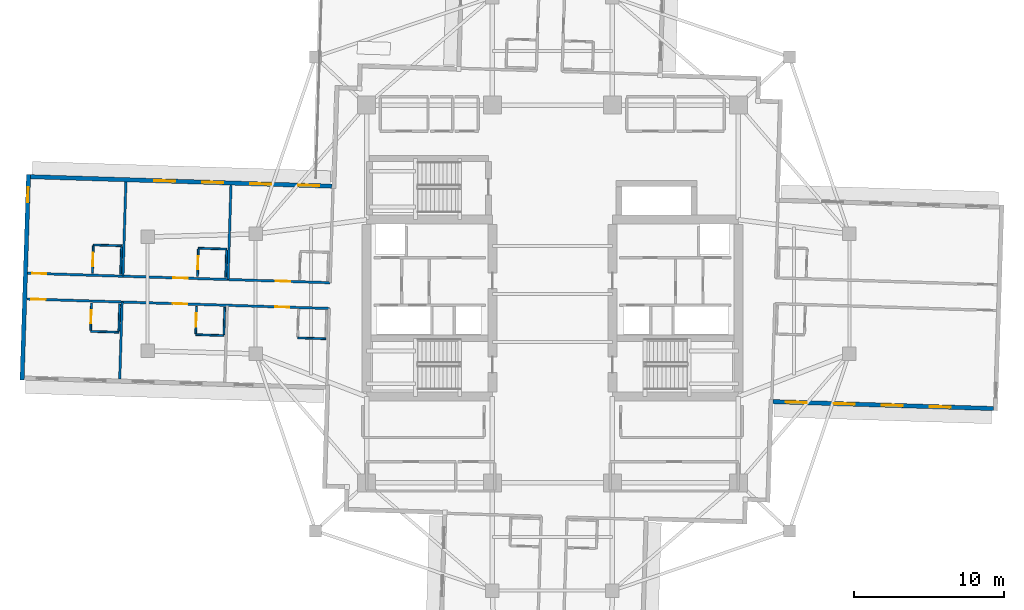
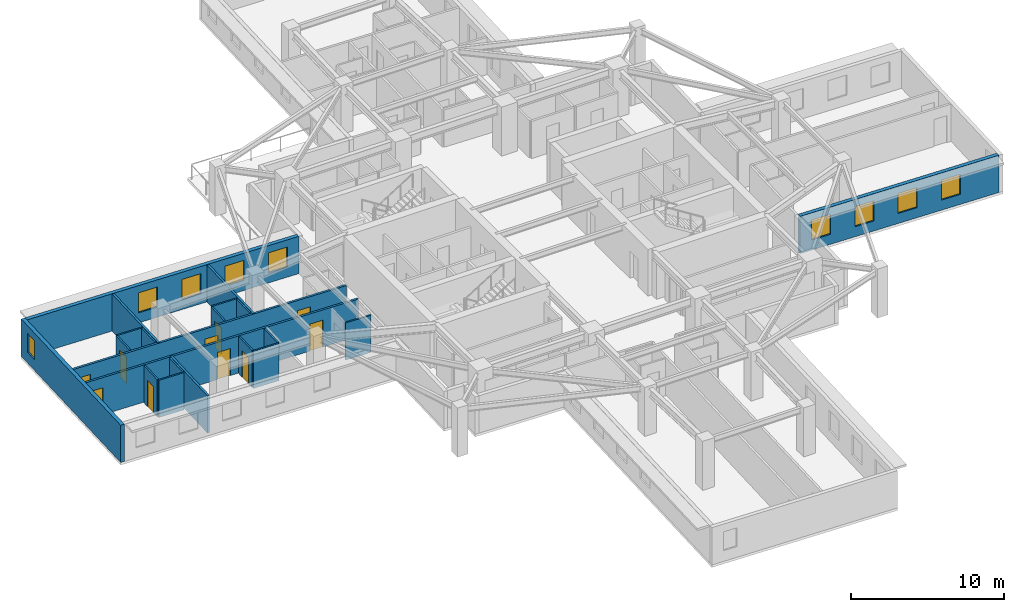
# One storey, part 4 of 13: 21 walls, 10 doors, 9 windows, 19 openings.
"""IFC4 building model written with IfcOpenShell, lengths in metres."""

from ifc_helpers import new_model, si_unit, direction, frame, frame_2d, origin, place, context, subcontext, project, spatial, rectangle, extrude, material, layer, layer_set, type_object, element, fill, save


model = new_model("IFC4")

# Units and contexts
model_context = context("Model", 3, precision=1e-05, world=origin(), true_north=direction((0.0, 1.0)))
body_context = subcontext(model_context, "Body", "Model", "MODEL_VIEW")
ifc_project = project(units=[si_unit("LENGTHUNIT", "METRE"), si_unit("AREAUNIT", "SQUARE_METRE"), si_unit("VOLUMEUNIT", "CUBIC_METRE"), si_unit("PLANEANGLEUNIT", "RADIAN"), si_unit("MASSUNIT", "GRAM", prefix="KILO")], contexts=[model_context])

# Site, building, storey
site_placement = place(None, origin())
site = spatial("IfcSite", under=ifc_project, at=site_placement, CompositionType="ELEMENT")
building_placement = place(site_placement, origin())
building = spatial("IfcBuilding", under=site, at=building_placement, Name="Qingluan Cross Belvedere", CompositionType="ELEMENT")
storey_placement = place(building_placement, frame((0.0, 0.0, 152.699951171875)))
storey = spatial("IfcBuildingStorey", under=building, at=storey_placement, Name="L38", CompositionType="ELEMENT", Elevation=152.699951171875)

# Wall, openings, doors
ifc_material_1 = material(Name="Gypsum plasterboard on steel stud acoustic partition", Category="steel")
ifc_layer_1 = layer(ifc_material_1, 0.159912109375, Name="CorridorPartition_160")
ifc_layer_set_1 = layer_set([ifc_layer_1], Name="Gypsum plasterboard on steel stud acoustic partition")
wall_type_1 = type_object("IfcWallType", Name="CorridorPartition_160", PredefinedType="PARTITIONING", material=ifc_layer_set_1)
wall_1_placement = place(storey_placement, frame((-14.833984375, 0.746337890625, 0.0), z_axis=(0.0, 0.0, 1.0), x_axis=(-0.99950639469, 0.031416030536, 0.0)))
wall_1 = element("IfcWall", 1, at=wall_1_placement, inside=storey, type_object=wall_type_1, Name="Partition L38:W:c0", PredefinedType="PARTITIONING", context=body_context, shape_type="SweptSolid", body=[
    extrude(rectangle(XDim=20.181884765625, YDim=0.159912109375, at=frame_2d((10.0908203125, 0.0))), origin(), (0.0, 0.0, 1.0), 2.9599609375),
])
opening_1_placement = place(wall_1_placement, frame((2.660888671875, 0.0, 0.0)))
opening_1 = element("IfcOpeningElement", 2, at=opening_1_placement, cuts=wall_1, Name="Opening GD-10", PredefinedType="OPENING", context=body_context, shape_type="SweptSolid", body=[
    extrude(rectangle(XDim=0.9599609375, YDim=2.14990234375, at=frame_2d((0.47998046875, 1.074951171875))), frame((0.0, 0.08984375, 0.0), z_axis=(0.0, -1.0, 0.0), x_axis=(1.0, 0.0, 0.0)), (0.0, 0.0, 1.0), 0.179931640625),
])
opening_2_placement = place(wall_1_placement, frame((9.491943359375, 0.0, 0.0)))
opening_2 = element("IfcOpeningElement", 3, at=opening_2_placement, cuts=wall_1, Name="Opening GD-10", PredefinedType="OPENING", context=body_context, shape_type="SweptSolid", body=[
    extrude(rectangle(XDim=0.9599609375, YDim=2.14990234375, at=frame_2d((0.47998046875, 1.074951171875))), frame((0.0, 0.08984375, 0.0), z_axis=(0.0, -1.0, 0.0), x_axis=(1.0, 0.0, 0.0)), (0.0, 0.0, 1.0), 0.179931640625),
])
opening_3_placement = place(wall_1_placement, frame((18.929931640625, 0.0, 0.0)))
opening_3 = element("IfcOpeningElement", 4, at=opening_3_placement, cuts=wall_1, Name="Opening GD-10", PredefinedType="OPENING", context=body_context, shape_type="SweptSolid", body=[
    extrude(rectangle(XDim=0.9599609375, YDim=2.14990234375, at=frame_2d((0.47998046875, 1.074951171875))), frame((0.0, 0.08984375, 0.0), z_axis=(0.0, -1.0, 0.0), x_axis=(1.0, 0.0, 0.0)), (0.0, 0.0, 1.0), 0.179931640625),
])
ifc_material_2 = material(Name="Timber oak fire-rated acoustic guestroom door", Category="wood")
door_type_1 = type_object("IfcDoorType", Name="GuestEntryDoor_FD60", OperationType="NOTDEFINED", PredefinedType="DOOR", material=ifc_material_2)
door_1_placement = place(opening_1_placement, origin())
door_1 = element("IfcDoor", 5, at=door_1_placement, inside=storey, type_object=door_type_1, Name="Guest entry fire door 3803", OperationType="SINGLE_SWING_RIGHT", OverallHeight=2.14990234375, OverallWidth=0.9599609375, PredefinedType="DOOR", context=body_context, shape_type="SweptSolid", body=[
    extrude(rectangle(XDim=0.9599609375, YDim=2.14990234375, at=frame_2d((0.47998046875, 1.074951171875))), frame((0.0, 0.02490234375, 0.0), z_axis=(0.0, -1.0, 0.0), x_axis=(1.0, 0.0, 0.0)), (0.0, 0.0, 1.0), 0.050048828125),
])
fill(opening_1, door_1)
door_2_placement = place(opening_2_placement, origin())
door_2 = element("IfcDoor", 6, at=door_2_placement, inside=storey, type_object=door_type_1, Name="Guest entry fire door 3804", OperationType="SINGLE_SWING_RIGHT", OverallHeight=2.14990234375, OverallWidth=0.9599609375, PredefinedType="DOOR", context=body_context, shape_type="SweptSolid", body=[
    extrude(rectangle(XDim=0.9599609375, YDim=2.14990234375, at=frame_2d((0.47998046875, 1.074951171875))), frame((0.0, 0.02490234375, 0.0), z_axis=(0.0, -1.0, 0.0), x_axis=(1.0, 0.0, 0.0)), (0.0, 0.0, 1.0), 0.050048828125),
])
fill(opening_2, door_2)
door_3_placement = place(opening_3_placement, origin())
door_3 = element("IfcDoor", 7, at=door_3_placement, inside=storey, type_object=door_type_1, Name="Guest entry fire door 3805", OperationType="SINGLE_SWING_RIGHT", OverallHeight=2.14990234375, OverallWidth=0.9599609375, PredefinedType="DOOR", context=body_context, shape_type="SweptSolid", body=[
    extrude(rectangle(XDim=0.9599609375, YDim=2.14990234375, at=frame_2d((0.47998046875, 1.074951171875))), frame((0.0, 0.02490234375, 0.0), z_axis=(0.0, -1.0, 0.0), x_axis=(1.0, 0.0, 0.0)), (0.0, 0.0, 1.0), 0.050048828125),
])
fill(opening_3, door_3)

# Walls
wall_2_placement = place(storey_placement, frame((-21.6416015625, 0.960205078125, 0.0), z_axis=(0.0, 0.0, 1.0), x_axis=(0.031429784908, 0.999505962274, 0.0)))
element("IfcWall", 8, at=wall_2_placement, inside=storey, type_object=wall_type_1, Name="Partition L38:W:d0_0", PredefinedType="PARTITIONING", context=body_context, shape_type="SweptSolid", body=[
    extrude(rectangle(XDim=6.2919921875, YDim=0.159912109375, at=frame_2d((3.14599609375, 0.0))), origin(), (0.0, 0.0, 1.0), 2.9599609375),
])
wall_3_placement = place(storey_placement, frame((-28.651123046875, 1.180419921875, 0.0), z_axis=(0.0, 0.0, 1.0), x_axis=(0.031389803569, 0.999507218699, 0.0)))
element("IfcWall", 9, at=wall_3_placement, inside=storey, type_object=wall_type_1, Name="Partition L38:W:d0_1", PredefinedType="PARTITIONING", context=body_context, shape_type="SweptSolid", body=[
    extrude(rectangle(XDim=6.292236328125, YDim=0.159912109375, at=frame_2d((3.14599609375, 0.0))), origin(), (0.0, 0.0, 1.0), 2.9599609375),
])

# Wall, openings, doors
wall_4_placement = place(storey_placement, frame((-14.887939453125, -0.972900390625, 0.0), z_axis=(0.0, 0.0, 1.0), x_axis=(-0.99950639469, 0.031416030536, 0.0)))
wall_4 = element("IfcWall", 10, at=wall_4_placement, inside=storey, type_object=wall_type_1, Name="Partition L38:W:c1", PredefinedType="PARTITIONING", context=body_context, shape_type="SweptSolid", body=[
    extrude(rectangle(XDim=20.181884765625, YDim=0.159912109375, at=frame_2d((10.0908203125, 0.0))), origin(), (0.0, 0.0, 1.0), 2.9599609375),
])
opening_4_placement = place(wall_4_placement, frame((2.660888671875, 0.0, 0.0)))
opening_4 = element("IfcOpeningElement", 11, at=opening_4_placement, cuts=wall_4, Name="Opening GD-10", PredefinedType="OPENING", context=body_context, shape_type="SweptSolid", body=[
    extrude(rectangle(XDim=0.9599609375, YDim=2.14990234375, at=frame_2d((0.47998046875, 1.074951171875))), frame((0.0, 0.08984375, 0.0), z_axis=(0.0, -1.0, 0.0), x_axis=(1.0, 0.0, 0.0)), (0.0, 0.0, 1.0), 0.179931640625),
])
opening_5_placement = place(wall_4_placement, frame((9.491943359375, 0.0, 0.0)))
opening_5 = element("IfcOpeningElement", 12, at=opening_5_placement, cuts=wall_4, Name="Opening GD-10", PredefinedType="OPENING", context=body_context, shape_type="SweptSolid", body=[
    extrude(rectangle(XDim=0.9599609375, YDim=2.14990234375, at=frame_2d((0.47998046875, 1.074951171875))), frame((0.0, 0.08984375, 0.0), z_axis=(0.0, -1.0, 0.0), x_axis=(1.0, 0.0, 0.0)), (0.0, 0.0, 1.0), 0.179931640625),
])
opening_6_placement = place(wall_4_placement, frame((18.929931640625, 0.0, 0.0)))
opening_6 = element("IfcOpeningElement", 13, at=opening_6_placement, cuts=wall_4, Name="Opening GD-10", PredefinedType="OPENING", context=body_context, shape_type="SweptSolid", body=[
    extrude(rectangle(XDim=0.9599609375, YDim=2.14990234375, at=frame_2d((0.47998046875, 1.074951171875))), frame((0.0, 0.08984375, 0.0), z_axis=(0.0, -1.0, 0.0), x_axis=(1.0, 0.0, 0.0)), (0.0, 0.0, 1.0), 0.179931640625),
])
door_4_placement = place(opening_4_placement, origin())
door_4 = element("IfcDoor", 14, at=door_4_placement, inside=storey, type_object=door_type_1, Name="Guest entry fire door 3806", OperationType="SINGLE_SWING_RIGHT", OverallHeight=2.14990234375, OverallWidth=0.9599609375, PredefinedType="DOOR", context=body_context, shape_type="SweptSolid", body=[
    extrude(rectangle(XDim=0.9599609375, YDim=2.14990234375, at=frame_2d((0.47998046875, 1.074951171875))), frame((0.0, 0.02490234375, 0.0), z_axis=(0.0, -1.0, 0.0), x_axis=(1.0, 0.0, 0.0)), (0.0, 0.0, 1.0), 0.050048828125),
])
fill(opening_4, door_4)
door_5_placement = place(opening_5_placement, origin())
door_5 = element("IfcDoor", 15, at=door_5_placement, inside=storey, type_object=door_type_1, Name="Guest entry fire door 3807", OperationType="SINGLE_SWING_RIGHT", OverallHeight=2.14990234375, OverallWidth=0.9599609375, PredefinedType="DOOR", context=body_context, shape_type="SweptSolid", body=[
    extrude(rectangle(XDim=0.9599609375, YDim=2.14990234375, at=frame_2d((0.47998046875, 1.074951171875))), frame((0.0, 0.02490234375, 0.0), z_axis=(0.0, -1.0, 0.0), x_axis=(1.0, 0.0, 0.0)), (0.0, 0.0, 1.0), 0.050048828125),
])
fill(opening_5, door_5)
door_6_placement = place(opening_6_placement, origin())
door_6 = element("IfcDoor", 16, at=door_6_placement, inside=storey, type_object=door_type_1, Name="Guest entry fire door 3808", OperationType="SINGLE_SWING_RIGHT", OverallHeight=2.14990234375, OverallWidth=0.9599609375, PredefinedType="DOOR", context=body_context, shape_type="SweptSolid", body=[
    extrude(rectangle(XDim=0.9599609375, YDim=2.14990234375, at=frame_2d((0.47998046875, 1.074951171875))), frame((0.0, 0.02490234375, 0.0), z_axis=(0.0, -1.0, 0.0), x_axis=(1.0, 0.0, 0.0)), (0.0, 0.0, 1.0), 0.050048828125),
])
fill(opening_6, door_6)

# Wall
wall_5_placement = place(storey_placement, frame((-28.705078125, -0.53857421875, 0.0), z_axis=(0.0, 0.0, 1.0), x_axis=(-0.031396631422, -0.999507004245, 0.0)))
element("IfcWall", 17, at=wall_5_placement, inside=storey, type_object=wall_type_1, Name="Partition L38:W:d1_1", PredefinedType="PARTITIONING", context=body_context, shape_type="SweptSolid", body=[
    extrude(rectangle(XDim=5.132080078125, YDim=0.159912109375, at=frame_2d((2.56591796875, 0.0))), origin(), (0.0, 0.0, 1.0), 2.9599609375),
])

# Wall, opening, door
ifc_material_3 = material(Name="Moisture-resistant gypsum board lining")
ifc_layer_2 = layer(ifc_material_3, 0.1201171875, Name="EnsuiteWetPartition_120")
ifc_layer_set_2 = layer_set([ifc_layer_2], Name="Moisture-resistant gypsum board lining")
wall_type_2 = type_object("IfcWallType", Name="EnsuiteWetPartition_120", PredefinedType="PARTITIONING", material=ifc_layer_set_2)
wall_6_placement = place(storey_placement, frame((-23.676025390625, 1.164306640625, 0.0), z_axis=(0.0, 0.0, 1.0), x_axis=(0.031389704724, 0.999507221803, 0.0)))
wall_6 = element("IfcWall", 18, at=wall_6_placement, inside=storey, type_object=wall_type_2, Name="Partition L38:W:bs0_1", PredefinedType="PARTITIONING", context=body_context, shape_type="SweptSolid", body=[
    extrude(rectangle(XDim=1.820068359375, YDim=0.1201171875, at=frame_2d((0.91015625, 0.0))), origin(), (0.0, 0.0, 1.0), 2.9599609375),
])
opening_7_placement = place(wall_6_placement, frame((0.469970703125, 0.0, 0.0)))
opening_7 = element("IfcOpeningElement", 19, at=opening_7_placement, cuts=wall_6, Name="Opening BD-09", PredefinedType="OPENING", context=body_context, shape_type="SweptSolid", body=[
    extrude(rectangle(XDim=0.8798828125, YDim=2.10009765625, at=frame_2d((0.43994140625, 1.050048828125))), frame((0.0, 0.070068359375, 0.0), z_axis=(0.0, -1.0, 0.0), x_axis=(1.0, 0.0, 0.0)), (0.0, 0.0, 1.0), 0.14013671875),
])
ifc_material_4 = material(Name="Moisture-sealed timber en-suite door", Category="wood")
door_type_2 = type_object("IfcDoorType", Name="BathroomDoor_880", OperationType="NOTDEFINED", PredefinedType="DOOR", material=ifc_material_4)
door_7_placement = place(opening_7_placement, origin())
door_7 = element("IfcDoor", 20, at=door_7_placement, inside=storey, type_object=door_type_2, Name="Bathroom door 3804", OperationType="SINGLE_SWING_LEFT", OverallHeight=2.10009765625, OverallWidth=0.8798828125, PredefinedType="DOOR", context=body_context, shape_type="SweptSolid", body=[
    extrude(rectangle(XDim=0.8798828125, YDim=2.10009765625, at=frame_2d((0.43994140625, 1.050048828125))), frame((0.0, 0.02490234375, 0.0), z_axis=(0.0, -1.0, 0.0), x_axis=(1.0, 0.0, 0.0)), (0.0, 0.0, 1.0), 0.050048828125),
])
fill(opening_7, door_7)

# Walls
wall_7_placement = place(storey_placement, frame((-21.797119140625, 1.105224609375, 0.0), z_axis=(0.0, 0.0, 1.0), x_axis=(0.031389704724, 0.999507221803, 0.0)))
element("IfcWall", 21, at=wall_7_placement, inside=storey, type_object=wall_type_2, Name="Partition L38:W:bw0_1", PredefinedType="PARTITIONING", context=body_context, shape_type="SweptSolid", body=[
    extrude(rectangle(XDim=1.820068359375, YDim=0.1201171875, at=frame_2d((0.91015625, 0.0))), origin(), (0.0, 0.0, 1.0), 2.9599609375),
])
wall_8_placement = place(storey_placement, frame((-21.73779296875, 2.9892578125, 0.0), z_axis=(0.0, 0.0, 1.0), x_axis=(-0.999506103526, 0.031425292588, 0.0)))
element("IfcWall", 22, at=wall_8_placement, inside=storey, type_object=wall_type_2, Name="Partition L38:W:bn0_1", PredefinedType="PARTITIONING", context=body_context, shape_type="SweptSolid", body=[
    extrude(rectangle(XDim=1.880126953125, YDim=0.1201171875, at=frame_2d((0.93994140625, 0.0))), origin(), (0.0, 0.0, 1.0), 2.9599609375),
])

# Wall, opening, door
wall_9_placement = place(storey_placement, frame((-30.685791015625, 1.384521484375, 0.0), z_axis=(0.0, 0.0, 1.0), x_axis=(0.03152371574, 0.999503004171, 0.0)))
wall_9 = element("IfcWall", 23, at=wall_9_placement, inside=storey, type_object=wall_type_2, Name="Partition L38:W:bs0_2", PredefinedType="PARTITIONING", context=body_context, shape_type="SweptSolid", body=[
    extrude(rectangle(XDim=1.820068359375, YDim=0.1201171875, at=frame_2d((0.91015625, 0.0))), origin(), (0.0, 0.0, 1.0), 2.9599609375),
])
opening_8_placement = place(wall_9_placement, frame((0.469970703125, 0.0, 0.0)))
opening_8 = element("IfcOpeningElement", 24, at=opening_8_placement, cuts=wall_9, Name="Opening BD-09", PredefinedType="OPENING", context=body_context, shape_type="SweptSolid", body=[
    extrude(rectangle(XDim=0.8798828125, YDim=2.10009765625, at=frame_2d((0.43994140625, 1.050048828125))), frame((0.0, 0.070068359375, 0.0), z_axis=(0.0, -1.0, 0.0), x_axis=(1.0, 0.0, 0.0)), (0.0, 0.0, 1.0), 0.14013671875),
])
door_8_placement = place(opening_8_placement, origin())
door_8 = element("IfcDoor", 25, at=door_8_placement, inside=storey, type_object=door_type_2, Name="Bathroom door 3805", OperationType="SINGLE_SWING_LEFT", OverallHeight=2.10009765625, OverallWidth=0.8798828125, PredefinedType="DOOR", context=body_context, shape_type="SweptSolid", body=[
    extrude(rectangle(XDim=0.8798828125, YDim=2.10009765625, at=frame_2d((0.43994140625, 1.050048828125))), frame((0.0, 0.02490234375, 0.0), z_axis=(0.0, -1.0, 0.0), x_axis=(1.0, 0.0, 0.0)), (0.0, 0.0, 1.0), 0.050048828125),
])
fill(opening_8, door_8)

# Walls
wall_10_placement = place(storey_placement, frame((-28.806640625, 1.325439453125, 0.0), z_axis=(0.0, 0.0, 1.0), x_axis=(0.031389704724, 0.999507221803, 0.0)))
element("IfcWall", 26, at=wall_10_placement, inside=storey, type_object=wall_type_2, Name="Partition L38:W:bw0_2", PredefinedType="PARTITIONING", context=body_context, shape_type="SweptSolid", body=[
    extrude(rectangle(XDim=1.820068359375, YDim=0.1201171875, at=frame_2d((0.91015625, 0.0))), origin(), (0.0, 0.0, 1.0), 2.9599609375),
])
for number, where, z_axis, x_axis, name in (
    (27, (-28.747314453125, 3.209716796875, 0.0), (0.0, 0.0, 1.0), (-0.999510173889, 0.031295563454, 0.0), "Partition L38:W:bn0_2"),
    (28, (-15.111328125, -2.99169921875, 0.0), (0.0, 0.0, 1.0), (-0.999510173889, 0.031295563454, 0.0), "Partition L38:W:bc1_0"),
):
    element("IfcWall", number, at=place(storey_placement, frame(where, z_axis=z_axis, x_axis=x_axis)), inside=storey, type_object=wall_type_2, Name=name, PredefinedType="PARTITIONING", context=body_context, shape_type="SweptSolid", body=[
        extrude(rectangle(XDim=1.880126953125, YDim=0.1201171875, at=frame_2d((0.93994140625, 0.0))), origin(), (0.0, 0.0, 1.0), 2.9599609375),
    ])

# Wall, opening, door
wall_11_placement = place(storey_placement, frame((-23.796142578125, -2.65380859375, 0.0), z_axis=(0.0, 0.0, 1.0), x_axis=(0.031389704724, 0.999507221803, 0.0)))
wall_11 = element("IfcWall", 29, at=wall_11_placement, inside=storey, type_object=wall_type_2, Name="Partition L38:W:bs1_1", PredefinedType="PARTITIONING", context=body_context, shape_type="SweptSolid", body=[
    extrude(rectangle(XDim=1.820068359375, YDim=0.1201171875, at=frame_2d((0.91015625, 0.0))), origin(), (0.0, 0.0, 1.0), 2.9599609375),
])
opening_9_placement = place(wall_11_placement, frame((0.469970703125, 0.0, 0.0)))
opening_9 = element("IfcOpeningElement", 30, at=opening_9_placement, cuts=wall_11, Name="Opening BD-09", PredefinedType="OPENING", context=body_context, shape_type="SweptSolid", body=[
    extrude(rectangle(XDim=0.8798828125, YDim=2.10009765625, at=frame_2d((0.43994140625, 1.050048828125))), frame((0.0, 0.070068359375, 0.0), z_axis=(0.0, -1.0, 0.0), x_axis=(1.0, 0.0, 0.0)), (0.0, 0.0, 1.0), 0.14013671875),
])
door_9_placement = place(opening_9_placement, origin())
door_9 = element("IfcDoor", 31, at=door_9_placement, inside=storey, type_object=door_type_2, Name="Bathroom door 3807", OperationType="SINGLE_SWING_LEFT", OverallHeight=2.10009765625, OverallWidth=0.8798828125, PredefinedType="DOOR", context=body_context, shape_type="SweptSolid", body=[
    extrude(rectangle(XDim=0.8798828125, YDim=2.10009765625, at=frame_2d((0.43994140625, 1.050048828125))), frame((0.0, 0.02490234375, 0.0), z_axis=(0.0, -1.0, 0.0), x_axis=(1.0, 0.0, 0.0)), (0.0, 0.0, 1.0), 0.050048828125),
])
fill(opening_9, door_9)

# Walls
wall_12_placement = place(storey_placement, frame((-21.9169921875, -2.712890625, 0.0), z_axis=(0.0, 0.0, 1.0), x_axis=(0.031389704724, 0.999507221803, 0.0)))
element("IfcWall", 32, at=wall_12_placement, inside=storey, type_object=wall_type_2, Name="Partition L38:W:bw1_1", PredefinedType="PARTITIONING", context=body_context, shape_type="SweptSolid", body=[
    extrude(rectangle(XDim=1.820068359375, YDim=0.1201171875, at=frame_2d((0.91015625, 0.0))), origin(), (0.0, 0.0, 1.0), 2.9599609375),
])
wall_13_placement = place(storey_placement, frame((-21.919189453125, -2.77783203125, 0.0), z_axis=(0.0, 0.0, 1.0), x_axis=(-0.999505975261, 0.031429371883, 0.0)))
element("IfcWall", 33, at=wall_13_placement, inside=storey, type_object=wall_type_2, Name="Partition L38:W:bc1_1", PredefinedType="PARTITIONING", context=body_context, shape_type="SweptSolid", body=[
    extrude(rectangle(XDim=1.8798828125, YDim=0.1201171875, at=frame_2d((0.93994140625, 0.0))), origin(), (0.0, 0.0, 1.0), 2.9599609375),
])

# Wall, opening, door
wall_14_placement = place(storey_placement, frame((-30.8056640625, -2.43359375, 0.0), z_axis=(0.0, 0.0, 1.0), x_axis=(0.031389704724, 0.999507221803, 0.0)))
wall_14 = element("IfcWall", 34, at=wall_14_placement, inside=storey, type_object=wall_type_2, Name="Partition L38:W:bs1_2", PredefinedType="PARTITIONING", context=body_context, shape_type="SweptSolid", body=[
    extrude(rectangle(XDim=1.820068359375, YDim=0.1201171875, at=frame_2d((0.91015625, 0.0))), origin(), (0.0, 0.0, 1.0), 2.9599609375),
])
opening_10_placement = place(wall_14_placement, frame((0.469970703125, 0.0, 0.0)))
opening_10 = element("IfcOpeningElement", 35, at=opening_10_placement, cuts=wall_14, Name="Opening BD-09", PredefinedType="OPENING", context=body_context, shape_type="SweptSolid", body=[
    extrude(rectangle(XDim=0.8798828125, YDim=2.10009765625, at=frame_2d((0.43994140625, 1.050048828125))), frame((0.0, 0.070068359375, 0.0), z_axis=(0.0, -1.0, 0.0), x_axis=(1.0, 0.0, 0.0)), (0.0, 0.0, 1.0), 0.14013671875),
])
door_10_placement = place(opening_10_placement, origin())
door_10 = element("IfcDoor", 36, at=door_10_placement, inside=storey, type_object=door_type_2, Name="Bathroom door 3808", OperationType="SINGLE_SWING_LEFT", OverallHeight=2.10009765625, OverallWidth=0.8798828125, PredefinedType="DOOR", context=body_context, shape_type="SweptSolid", body=[
    extrude(rectangle(XDim=0.8798828125, YDim=2.10009765625, at=frame_2d((0.43994140625, 1.050048828125))), frame((0.0, 0.02490234375, 0.0), z_axis=(0.0, -1.0, 0.0), x_axis=(1.0, 0.0, 0.0)), (0.0, 0.0, 1.0), 0.050048828125),
])
fill(opening_10, door_10)

# Walls
wall_15_placement = place(storey_placement, frame((-28.926513671875, -2.49267578125, 0.0), z_axis=(0.0, 0.0, 1.0), x_axis=(0.031389704724, 0.999507221803, 0.0)))
element("IfcWall", 37, at=wall_15_placement, inside=storey, type_object=wall_type_2, Name="Partition L38:W:bw1_2", PredefinedType="PARTITIONING", context=body_context, shape_type="SweptSolid", body=[
    extrude(rectangle(XDim=1.820068359375, YDim=0.1201171875, at=frame_2d((0.91015625, 0.0))), origin(), (0.0, 0.0, 1.0), 2.9599609375),
])
wall_16_placement = place(storey_placement, frame((-28.9287109375, -2.5576171875, 0.0), z_axis=(0.0, 0.0, 1.0), x_axis=(-0.999505975261, 0.031429371883, 0.0)))
element("IfcWall", 38, at=wall_16_placement, inside=storey, type_object=wall_type_2, Name="Partition L38:W:bc1_2", PredefinedType="PARTITIONING", context=body_context, shape_type="SweptSolid", body=[
    extrude(rectangle(XDim=1.8798828125, YDim=0.1201171875, at=frame_2d((0.93994140625, 0.0))), origin(), (0.0, 0.0, 1.0), 2.9599609375),
])

# Wall, openings, windows
ifc_material_5 = material(Name="Precast concrete C45", Category="concrete")
ifc_layer_3 = layer(ifc_material_5, 0.280029296875, Name="PrecastFacadeWall_280")
ifc_layer_set_3 = layer_set([ifc_layer_3], Name="Precast concrete C45")
wall_type_3 = type_object("IfcWallType", Name="PrecastFacadeWall_280", PredefinedType="STANDARD", material=ifc_layer_set_3)
wall_17_placement = place(storey_placement, frame((14.721435546875, -7.18603515625, 0.0), z_axis=(0.0, 0.0, 1.0), x_axis=(0.999506714454, -0.031405855522, 0.0)))
wall_17 = element("IfcWall", 39, at=wall_17_placement, inside=storey, type_object=wall_type_3, Name="Facade wall L38-EA", PredefinedType="STANDARD", context=body_context, shape_type="SweptSolid", body=[
    extrude(rectangle(XDim=14.7001953125, YDim=0.280029296875, at=frame_2d((7.35009765625, 0.0))), origin(), (0.0, 0.0, 1.0), 2.969970703125),
])
opening_11_placement = place(wall_17_placement, frame((0.85009765625, 0.0, 0.800048828125)))
opening_11 = element("IfcOpeningElement", 40, at=opening_11_placement, cuts=wall_17, Name="Opening W-01", PredefinedType="OPENING", context=body_context, shape_type="SweptSolid", body=[
    extrude(rectangle(XDim=1.39990234375, YDim=1.60009765625, at=frame_2d((0.699951171875, 0.800048828125))), frame((0.0, 0.14990234375, 0.0), z_axis=(0.0, -1.0, 0.0), x_axis=(1.0, 0.0, 0.0)), (0.0, 0.0, 1.0), 0.300048828125),
])
opening_12_placement = place(wall_17_placement, frame((4.050048828125, 0.0, 0.800048828125)))
opening_12 = element("IfcOpeningElement", 41, at=opening_12_placement, cuts=wall_17, Name="Opening W-01", PredefinedType="OPENING", context=body_context, shape_type="SweptSolid", body=[
    extrude(rectangle(XDim=1.39990234375, YDim=1.60009765625, at=frame_2d((0.699951171875, 0.800048828125))), frame((0.0, 0.14990234375, 0.0), z_axis=(0.0, -1.0, 0.0), x_axis=(1.0, 0.0, 0.0)), (0.0, 0.0, 1.0), 0.300048828125),
])
opening_13_placement = place(wall_17_placement, frame((7.25, 0.0, 0.800048828125)))
opening_13 = element("IfcOpeningElement", 42, at=opening_13_placement, cuts=wall_17, Name="Opening W-01", PredefinedType="OPENING", context=body_context, shape_type="SweptSolid", body=[
    extrude(rectangle(XDim=1.39990234375, YDim=1.60009765625, at=frame_2d((0.699951171875, 0.800048828125))), frame((0.0, 0.14990234375, 0.0), z_axis=(0.0, -1.0, 0.0), x_axis=(1.0, 0.0, 0.0)), (0.0, 0.0, 1.0), 0.300048828125),
])
opening_14_placement = place(wall_17_placement, frame((10.449951171875, 0.0, 0.800048828125)))
opening_14 = element("IfcOpeningElement", 43, at=opening_14_placement, cuts=wall_17, Name="Opening W-01", PredefinedType="OPENING", context=body_context, shape_type="SweptSolid", body=[
    extrude(rectangle(XDim=1.39990234375, YDim=1.60009765625, at=frame_2d((0.699951171875, 0.800048828125))), frame((0.0, 0.14990234375, 0.0), z_axis=(0.0, -1.0, 0.0), x_axis=(1.0, 0.0, 0.0)), (0.0, 0.0, 1.0), 0.300048828125),
])
ifc_material_6 = material(Name="Thermally broken triple Low-E glass in aluminium frame", Category="aluminium")
window_type_1 = type_object("IfcWindowType", Name="TriRibbonWin_1400x1600", PartitioningType="SINGLE_PANEL", PredefinedType="WINDOW", material=ifc_material_6)
window_1_placement = place(opening_11_placement, origin())
window_1 = element("IfcWindow", 44, at=window_1_placement, inside=storey, type_object=window_type_1, Name="Ribbon window L38-EA-1", OverallHeight=1.60009765625, OverallWidth=1.39990234375, PartitioningType="SINGLE_PANEL", PredefinedType="WINDOW", context=body_context, shape_type="SweptSolid", body=[
    extrude(rectangle(XDim=1.39990234375, YDim=1.60009765625, at=frame_2d((0.699951171875, 0.800048828125))), frame((0.0, 0.030029296875, 0.0), z_axis=(0.0, -1.0, 0.0), x_axis=(1.0, 0.0, 0.0)), (0.0, 0.0, 1.0), 0.06005859375),
])
fill(opening_11, window_1)
window_2_placement = place(opening_12_placement, origin())
window_2 = element("IfcWindow", 45, at=window_2_placement, inside=storey, type_object=window_type_1, Name="Ribbon window L38-EA-2", OverallHeight=1.60009765625, OverallWidth=1.39990234375, PartitioningType="SINGLE_PANEL", PredefinedType="WINDOW", context=body_context, shape_type="SweptSolid", body=[
    extrude(rectangle(XDim=1.39990234375, YDim=1.60009765625, at=frame_2d((0.699951171875, 0.800048828125))), frame((0.0, 0.030029296875, 0.0), z_axis=(0.0, -1.0, 0.0), x_axis=(1.0, 0.0, 0.0)), (0.0, 0.0, 1.0), 0.06005859375),
])
fill(opening_12, window_2)
window_3_placement = place(opening_13_placement, origin())
window_3 = element("IfcWindow", 46, at=window_3_placement, inside=storey, type_object=window_type_1, Name="Ribbon window L38-EA-3", OverallHeight=1.60009765625, OverallWidth=1.39990234375, PartitioningType="SINGLE_PANEL", PredefinedType="WINDOW", context=body_context, shape_type="SweptSolid", body=[
    extrude(rectangle(XDim=1.39990234375, YDim=1.60009765625, at=frame_2d((0.699951171875, 0.800048828125))), frame((0.0, 0.030029296875, 0.0), z_axis=(0.0, -1.0, 0.0), x_axis=(1.0, 0.0, 0.0)), (0.0, 0.0, 1.0), 0.06005859375),
])
fill(opening_13, window_3)
window_4_placement = place(opening_14_placement, origin())
window_4 = element("IfcWindow", 47, at=window_4_placement, inside=storey, type_object=window_type_1, Name="Ribbon window L38-EA-4", OverallHeight=1.60009765625, OverallWidth=1.39990234375, PartitioningType="SINGLE_PANEL", PredefinedType="WINDOW", context=body_context, shape_type="SweptSolid", body=[
    extrude(rectangle(XDim=1.39990234375, YDim=1.60009765625, at=frame_2d((0.699951171875, 0.800048828125))), frame((0.0, 0.030029296875, 0.0), z_axis=(0.0, -1.0, 0.0), x_axis=(1.0, 0.0, 0.0)), (0.0, 0.0, 1.0), 0.06005859375),
])
fill(opening_14, window_4)

wall_18_placement = place(storey_placement, frame((-14.721435546875, 7.18603515625, 0.0), z_axis=(0.0, 0.0, 1.0), x_axis=(-0.999506574096, 0.031410322165, 0.0)))
wall_18 = element("IfcWall", 48, at=wall_18_placement, inside=storey, type_object=wall_type_3, Name="Facade wall L38-WA", PredefinedType="STANDARD", context=body_context, shape_type="SweptSolid", body=[
    extrude(rectangle(XDim=20.10009765625, YDim=0.280029296875, at=frame_2d((10.050048828125, 0.0))), origin(), (0.0, 0.0, 1.0), 2.969970703125),
])
opening_15_placement = place(wall_18_placement, frame((0.85009765625, 0.0, 0.800048828125)))
opening_15 = element("IfcOpeningElement", 49, at=opening_15_placement, cuts=wall_18, Name="Opening W-01", PredefinedType="OPENING", context=body_context, shape_type="SweptSolid", body=[
    extrude(rectangle(XDim=1.39990234375, YDim=1.60009765625, at=frame_2d((0.699951171875, 0.800048828125))), frame((0.0, 0.14990234375, 0.0), z_axis=(0.0, -1.0, 0.0), x_axis=(1.0, 0.0, 0.0)), (0.0, 0.0, 1.0), 0.300048828125),
])
opening_16_placement = place(wall_18_placement, frame((4.050048828125, 0.0, 0.800048828125)))
opening_16 = element("IfcOpeningElement", 50, at=opening_16_placement, cuts=wall_18, Name="Opening W-01", PredefinedType="OPENING", context=body_context, shape_type="SweptSolid", body=[
    extrude(rectangle(XDim=1.39990234375, YDim=1.60009765625, at=frame_2d((0.699951171875, 0.800048828125))), frame((0.0, 0.14990234375, 0.0), z_axis=(0.0, -1.0, 0.0), x_axis=(1.0, 0.0, 0.0)), (0.0, 0.0, 1.0), 0.300048828125),
])
opening_17_placement = place(wall_18_placement, frame((7.25, 0.0, 0.800048828125)))
opening_17 = element("IfcOpeningElement", 51, at=opening_17_placement, cuts=wall_18, Name="Opening W-01", PredefinedType="OPENING", context=body_context, shape_type="SweptSolid", body=[
    extrude(rectangle(XDim=1.39990234375, YDim=1.60009765625, at=frame_2d((0.699951171875, 0.800048828125))), frame((0.0, 0.14990234375, 0.0), z_axis=(0.0, -1.0, 0.0), x_axis=(1.0, 0.0, 0.0)), (0.0, 0.0, 1.0), 0.300048828125),
])
opening_18_placement = place(wall_18_placement, frame((10.449951171875, 0.0, 0.800048828125)))
opening_18 = element("IfcOpeningElement", 52, at=opening_18_placement, cuts=wall_18, Name="Opening W-01", PredefinedType="OPENING", context=body_context, shape_type="SweptSolid", body=[
    extrude(rectangle(XDim=1.39990234375, YDim=1.60009765625, at=frame_2d((0.699951171875, 0.800048828125))), frame((0.0, 0.14990234375, 0.0), z_axis=(0.0, -1.0, 0.0), x_axis=(1.0, 0.0, 0.0)), (0.0, 0.0, 1.0), 0.300048828125),
])
window_5_placement = place(opening_15_placement, origin())
window_5 = element("IfcWindow", 53, at=window_5_placement, inside=storey, type_object=window_type_1, Name="Ribbon window L38-WA-1", OverallHeight=1.60009765625, OverallWidth=1.39990234375, PartitioningType="SINGLE_PANEL", PredefinedType="WINDOW", context=body_context, shape_type="SweptSolid", body=[
    extrude(rectangle(XDim=1.39990234375, YDim=1.60009765625, at=frame_2d((0.699951171875, 0.800048828125))), frame((0.0, 0.030029296875, 0.0), z_axis=(0.0, -1.0, 0.0), x_axis=(1.0, 0.0, 0.0)), (0.0, 0.0, 1.0), 0.06005859375),
])
fill(opening_15, window_5)
window_6_placement = place(opening_16_placement, origin())
window_6 = element("IfcWindow", 54, at=window_6_placement, inside=storey, type_object=window_type_1, Name="Ribbon window L38-WA-2", OverallHeight=1.60009765625, OverallWidth=1.39990234375, PartitioningType="SINGLE_PANEL", PredefinedType="WINDOW", context=body_context, shape_type="SweptSolid", body=[
    extrude(rectangle(XDim=1.39990234375, YDim=1.60009765625, at=frame_2d((0.699951171875, 0.800048828125))), frame((0.0, 0.030029296875, 0.0), z_axis=(0.0, -1.0, 0.0), x_axis=(1.0, 0.0, 0.0)), (0.0, 0.0, 1.0), 0.06005859375),
])
fill(opening_16, window_6)
window_7_placement = place(opening_17_placement, origin())
window_7 = element("IfcWindow", 55, at=window_7_placement, inside=storey, type_object=window_type_1, Name="Ribbon window L38-WA-3", OverallHeight=1.60009765625, OverallWidth=1.39990234375, PartitioningType="SINGLE_PANEL", PredefinedType="WINDOW", context=body_context, shape_type="SweptSolid", body=[
    extrude(rectangle(XDim=1.39990234375, YDim=1.60009765625, at=frame_2d((0.699951171875, 0.800048828125))), frame((0.0, 0.030029296875, 0.0), z_axis=(0.0, -1.0, 0.0), x_axis=(1.0, 0.0, 0.0)), (0.0, 0.0, 1.0), 0.06005859375),
])
fill(opening_17, window_7)
window_8_placement = place(opening_18_placement, origin())
window_8 = element("IfcWindow", 56, at=window_8_placement, inside=storey, type_object=window_type_1, Name="Ribbon window L38-WA-4", OverallHeight=1.60009765625, OverallWidth=1.39990234375, PartitioningType="SINGLE_PANEL", PredefinedType="WINDOW", context=body_context, shape_type="SweptSolid", body=[
    extrude(rectangle(XDim=1.39990234375, YDim=1.60009765625, at=frame_2d((0.699951171875, 0.800048828125))), frame((0.0, 0.030029296875, 0.0), z_axis=(0.0, -1.0, 0.0), x_axis=(1.0, 0.0, 0.0)), (0.0, 0.0, 1.0), 0.06005859375),
])
fill(opening_18, window_8)

# Wall, opening, window
wall_19_placement = place(storey_placement, frame((-34.947265625, 7.961669921875, 0.0), z_axis=(0.0, 0.0, 1.0), x_axis=(-0.031406966164, -0.999506679556, 0.0)))
wall_19 = element("IfcWall", 57, at=wall_19_placement, inside=storey, type_object=wall_type_3, Name="Arm tip precast facade wall L38-W", PredefinedType="STANDARD", context=body_context, shape_type="SweptSolid", body=[
    extrude(rectangle(XDim=13.72021484375, YDim=0.280029296875, at=frame_2d((6.860107421875, 0.0))), origin(), (0.0, 0.0, 1.0), 2.969970703125),
])
opening_19_placement = place(wall_19_placement, frame((0.85009765625, 0.0, 0.85009765625)))
opening_19 = element("IfcOpeningElement", 58, at=opening_19_placement, cuts=wall_19, Name="Opening W-03", PredefinedType="OPENING", context=body_context, shape_type="SweptSolid", body=[
    extrude(rectangle(XDim=1.0, YDim=1.5, at=frame_2d((0.5, 0.75))), frame((0.0, 0.14990234375, 0.0), z_axis=(0.0, -1.0, 0.0), x_axis=(1.0, 0.0, 0.0)), (0.0, 0.0, 1.0), 0.300048828125),
])
ifc_material_7 = material(Name="Thermally broken triple Low-E glass in aluminium frame", Category="aluminium")
window_type_2 = type_object("IfcWindowType", Name="TriApexWin_1000x1500", PartitioningType="SINGLE_PANEL", PredefinedType="WINDOW", material=ifc_material_7)
window_9_placement = place(opening_19_placement, origin())
window_9 = element("IfcWindow", 59, at=window_9_placement, inside=storey, type_object=window_type_2, Name="Arm tip triangular window L38-W", OverallHeight=1.5, OverallWidth=1.0, PartitioningType="SINGLE_PANEL", PredefinedType="WINDOW", context=body_context, shape_type="SweptSolid", body=[
    extrude(rectangle(XDim=1.0, YDim=1.5, at=frame_2d((0.5, 0.75))), frame((0.0, 0.030029296875, 0.0), z_axis=(0.0, -1.0, 0.0), x_axis=(1.0, 0.0, 0.0)), (0.0, 0.0, 1.0), 0.06005859375),
])
fill(opening_19, window_9)

save(model, "model.ifc")
